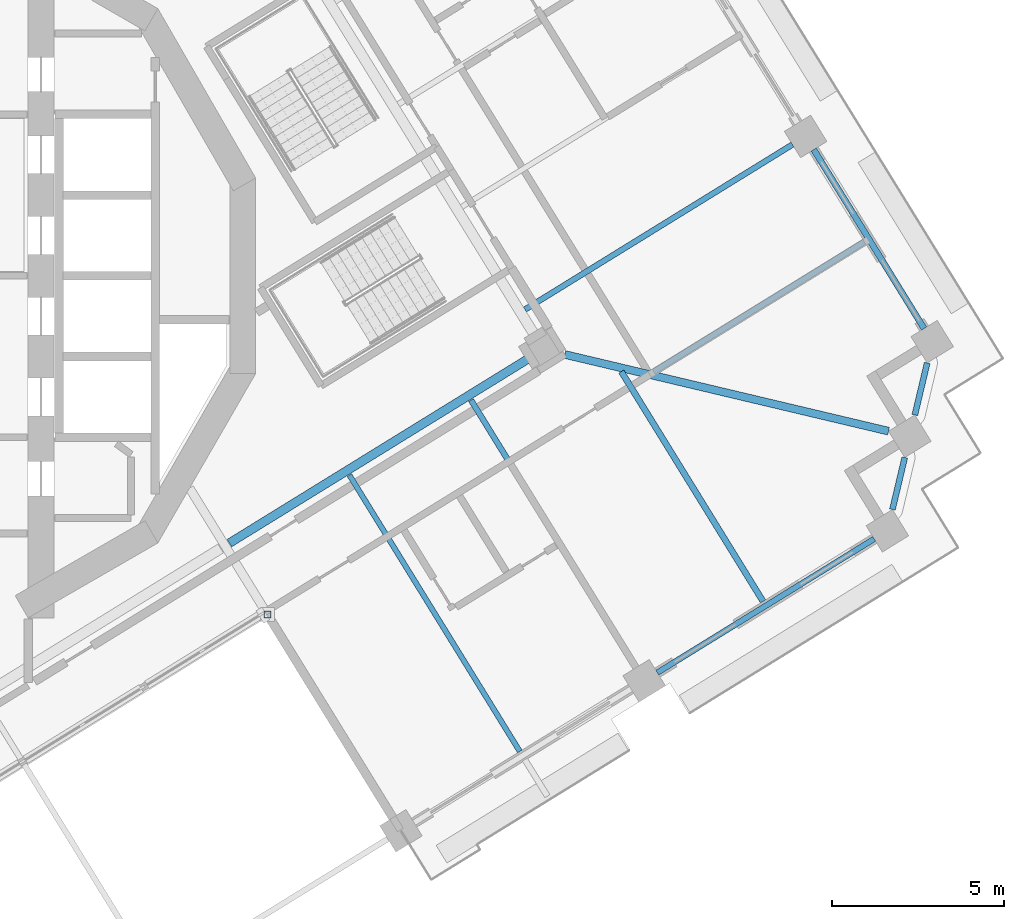
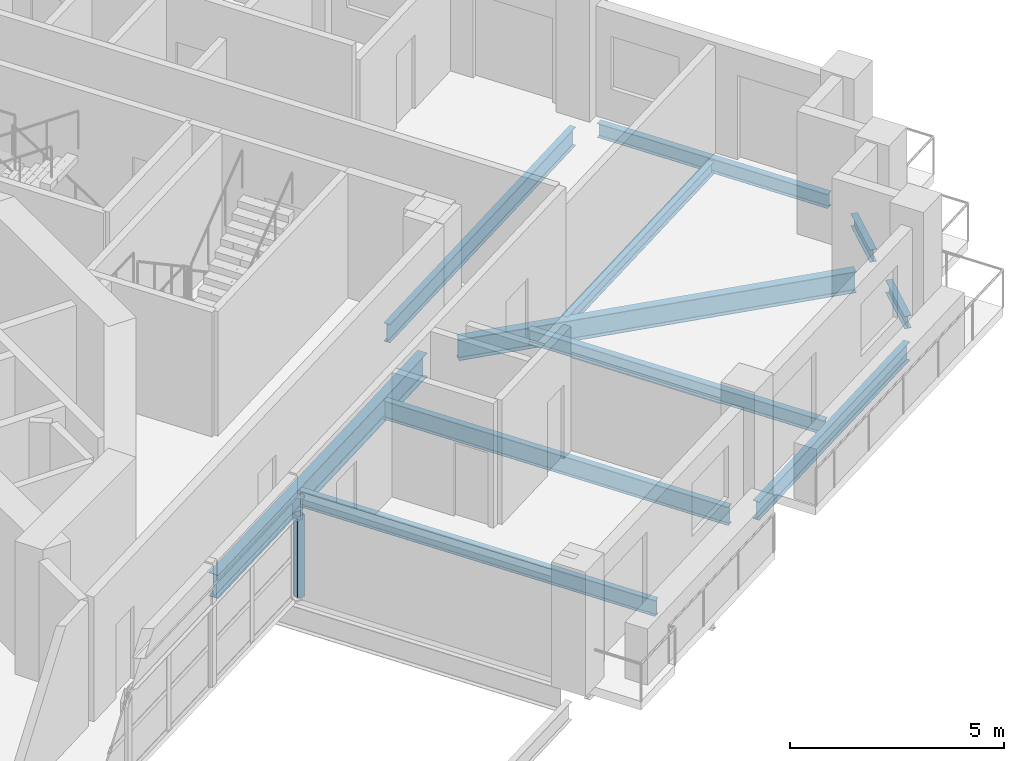
# One storey, part 5 of 22: 11 beams, 1 member.
"""IFC4 building model written with IfcOpenShell, lengths in metres."""

from ifc_helpers import new_model, si_unit, direction, frame, origin, origin_2d, place, context, subcontext, project, spatial, hollow_rectangle, i_section, extrude, material, material_profile, profile_set, type_object, element, save


model = new_model("IFC4")

# Units and contexts
model_context = context("Model", 3, precision=1e-05, world=origin(), true_north=direction((0.0, 1.0)))
body_context = subcontext(model_context, "Body", "Model", "MODEL_VIEW")
ifc_project = project(units=[si_unit("LENGTHUNIT", "METRE"), si_unit("AREAUNIT", "SQUARE_METRE"), si_unit("VOLUMEUNIT", "CUBIC_METRE"), si_unit("PLANEANGLEUNIT", "RADIAN"), si_unit("MASSUNIT", "GRAM", prefix="KILO")], contexts=[model_context])

# Site, building, storey
site_placement = place(None, origin())
site = spatial("IfcSite", under=ifc_project, at=site_placement, CompositionType="ELEMENT")
building_placement = place(site_placement, origin())
building = spatial("IfcBuilding", under=site, at=building_placement, Name="Cantera Rosa Tower", CompositionType="ELEMENT")
storey_placement = place(building_placement, frame((0.0, 0.0, 178.0)))
storey = spatial("IfcBuildingStorey", under=building, at=storey_placement, Name="L39", CompositionType="ELEMENT", Elevation=178.0)

# Member
ifc_material_1 = material(Name="Steel ASTM A992 (Fy 345 MPa)", Category="steel")
ifc_material_profile_1 = material_profile(ifc_material_1, hollow_rectangle(XDim=0.199951171875, YDim=0.199951171875, WallThickness=0.010009765625, at=origin_2d()), Name="LINTEL POST RHS 200x200x10")
ifc_profile_set_1 = profile_set([ifc_material_profile_1], Name="Steel ASTM A992 (Fy 345 MPa)")
member_type = type_object("IfcMemberType", Name="LINTEL POST RHS 200x200x10", PredefinedType="USERDEFINED", material=ifc_profile_set_1)
member_placement = place(storey_placement, frame((10.968994140625, -9.859375, 0.0), z_axis=(0.0, 0.0, 1.0), x_axis=(1.0, 0.0, 0.0)))
element("IfcMember", 1, at=member_placement, inside=storey, type_object=member_type, Name="LINTEL POST L39-2", ObjectType="LINTEL POST", PredefinedType="USERDEFINED", context=body_context, shape_type="SweptSolid", body=[
    extrude(hollow_rectangle(XDim=0.199951171875, YDim=0.199951171875, WallThickness=0.010009765625, at=origin_2d()), origin(), (0.0, 0.0, 1.0), 2.340087890625),
])

# Beams
ifc_material_2 = material(Name="Steel ASTM A992 (Fy 345 MPa)", Category="steel")
ifc_material_profile_2 = material_profile(ifc_material_2, i_section(OverallWidth=0.166015625, OverallDepth=0.528076171875, WebThickness=0.009765625, FlangeThickness=0.013671875, FilletRadius=0.0126953125, at=origin_2d()), Name="W530X74")
ifc_profile_set_2 = profile_set([ifc_material_profile_2], Name="Steel ASTM A992 (Fy 345 MPa)")
beam_type_1 = type_object("IfcBeamType", Name="STEEL BEAM W530X74", PredefinedType="BEAM", material=ifc_profile_set_2)
for number, where, z_axis, x_axis, name in (
    (2, (26.252685546875, 3.82080078125, -0.513916015625), (-0.851116426313, -0.524976979362, 0.0), (0.524976979362, -0.851116426313, 0.0), "G-Z3-01 L39"),
    (3, (21.698974609375, -11.40673828125, -0.513916015625), (-0.524976979362, 0.851116426313, 0.0), (-0.851116426313, -0.524976979362, 0.0), "G-Z3-12 L39"),
):
    element("IfcBeam", number, at=place(storey_placement, frame(where, z_axis=z_axis, x_axis=x_axis)), inside=storey, type_object=beam_type_1, Name=name, PredefinedType="BEAM", context=body_context, shape_type="SweptSolid", body=[
        extrude(i_section(OverallWidth=0.166015625, OverallDepth=0.528076171875, WebThickness=0.009765625, FlangeThickness=0.013671875, FilletRadius=0.0126953125, at=origin_2d()), origin(), (0.0, 0.0, 1.0), 9.14990234375),
    ])
ifc_material_3 = material(Name="Steel ASTM A992 (Fy 345 MPa)", Category="steel")
ifc_material_profile_3 = material_profile(ifc_material_3, i_section(OverallWidth=0.22802734375, OverallDepth=0.60205078125, WebThickness=0.010498046875, FlangeThickness=0.014892578125, FilletRadius=0.0126953125, at=origin_2d()), Name="W610X101")
ifc_profile_set_3 = profile_set([ifc_material_profile_3], Name="Steel ASTM A992 (Fy 345 MPa)")
beam_type_2 = type_object("IfcBeamType", Name="STEEL BEAM W610X101", PredefinedType="BEAM", material=ifc_profile_set_3)
beam_1_placement = place(storey_placement, frame((29.049560546875, -4.523193359375, -0.551025390625), z_axis=(-0.973043389436, 0.230622120091, 0.0), x_axis=(-0.230622120091, -0.973043389436, 0.0)))
element("IfcBeam", 4, at=beam_1_placement, inside=storey, type_object=beam_type_2, Name="CB-Z3-04 L39", PredefinedType="BEAM", context=body_context, shape_type="SweptSolid", body=[
    extrude(i_section(OverallWidth=0.22802734375, OverallDepth=0.60205078125, WebThickness=0.010498046875, FlangeThickness=0.014892578125, FilletRadius=0.0126953125, at=origin_2d()), origin(), (0.0, 0.0, 1.0), 9.6875),
])
ifc_material_4 = material(Name="Steel ASTM A992 (Fy 345 MPa)", Category="steel")
ifc_material_profile_4 = material_profile(ifc_material_4, i_section(OverallWidth=0.25390625, OverallDepth=0.677978515625, WebThickness=0.01171875, FlangeThickness=0.016357421875, FilletRadius=0.01513671875, at=origin_2d()), Name="W690X125")
ifc_profile_set_4 = profile_set([ifc_material_profile_4], Name="Steel ASTM A992 (Fy 345 MPa)")
beam_type_3 = type_object("IfcBeamType", Name="STEEL BEAM W690X125", PredefinedType="BEAM", material=ifc_profile_set_4)
beam_2_placement = place(storey_placement, frame((9.863037109375, -7.780517578125, -0.589111328125), z_axis=(0.851114508358, 0.524980088825, 0.0), x_axis=(-0.524980088825, 0.851114508358, 0.0)))
element("IfcBeam", 5, at=beam_2_placement, inside=storey, type_object=beam_type_3, Name="RB-Z3-04 L39", PredefinedType="BEAM", context=body_context, shape_type="SweptSolid", body=[
    extrude(i_section(OverallWidth=0.25390625, OverallDepth=0.677978515625, WebThickness=0.01171875, FlangeThickness=0.016357421875, FilletRadius=0.01513671875, at=origin_2d()), origin(), (0.0, 0.0, 1.0), 10.2900390625),
])
ifc_material_5 = material(Name="Steel ASTM A992 (Fy 345 MPa)", Category="steel")
ifc_material_profile_5 = material_profile(ifc_material_5, i_section(OverallWidth=0.1708984375, OverallDepth=0.35595703125, WebThickness=0.00732421875, FlangeThickness=0.01171875, FilletRadius=0.010009765625, at=origin_2d()), Name="W360X51")
ifc_profile_set_5 = profile_set([ifc_material_profile_5], Name="Steel ASTM A992 (Fy 345 MPa)")
beam_type_4 = type_object("IfcBeamType", Name="STEEL JOIST W360X51", PredefinedType="JOIST", material=ifc_profile_set_5)
beam_3_placement = place(storey_placement, frame((28.3505859375, 0.990966796875, -0.427978515625), z_axis=(-0.851109089911, -0.524988873283, 0.0), x_axis=(0.524988873283, -0.851109089911, 0.0)))
element("IfcBeam", 6, at=beam_3_placement, inside=storey, type_object=beam_type_4, Name="B-Z3-01 L39", PredefinedType="JOIST", context=body_context, shape_type="SweptSolid", body=[
    extrude(i_section(OverallWidth=0.1708984375, OverallDepth=0.35595703125, WebThickness=0.00732421875, FlangeThickness=0.01171875, FilletRadius=0.010009765625, at=origin_2d()), origin(), (0.0, 0.0, 1.0), 7.2099609375),
])
ifc_material_6 = material(Name="Steel ASTM A992 (Fy 345 MPa)", Category="steel")
ifc_material_profile_6 = material_profile(ifc_material_6, i_section(OverallWidth=0.177978515625, OverallDepth=0.406005859375, WebThickness=0.0078125, FlangeThickness=0.0126953125, FilletRadius=0.01025390625, at=origin_2d()), Name="W410X60")
ifc_profile_set_6 = profile_set([ifc_material_profile_6], Name="Steel ASTM A992 (Fy 345 MPa)")
beam_type_5 = type_object("IfcBeamType", Name="STEEL JOIST W410X60", PredefinedType="JOIST", material=ifc_profile_set_6)
beam_4_placement = place(storey_placement, frame((25.39697265625, -9.478271484375, -0.452880859375), z_axis=(-0.524972339906, 0.851119287958, 0.0), x_axis=(-0.851119287958, -0.524972339906, 0.0)))
element("IfcBeam", 7, at=beam_4_placement, inside=storey, type_object=beam_type_5, Name="B-Z3-15 L39", PredefinedType="JOIST", context=body_context, shape_type="SweptSolid", body=[
    extrude(i_section(OverallWidth=0.177978515625, OverallDepth=0.406005859375, WebThickness=0.0078125, FlangeThickness=0.0126953125, FilletRadius=0.01025390625, at=origin_2d()), origin(), (0.0, 0.0, 1.0), 7.85986328125),
])
ifc_material_7 = material(Name="Steel ASTM A992 (Fy 345 MPa)", Category="steel")
ifc_material_profile_7 = material_profile(ifc_material_7, i_section(OverallWidth=0.154052734375, OverallDepth=0.4599609375, WebThickness=0.009033203125, FlangeThickness=0.015380859375, FilletRadius=0.01025390625, at=origin_2d()), Name="W460X68")
ifc_profile_set_7 = profile_set([ifc_material_profile_7], Name="Steel ASTM A992 (Fy 345 MPa)")
beam_type_6 = type_object("IfcBeamType", Name="STEEL JOIST W460X68", PredefinedType="JOIST", material=ifc_profile_set_7)
beam_5_placement = place(storey_placement, frame((18.315673828125, -13.84619140625, -0.47998046875), z_axis=(-0.524962009542, 0.851125659663, 0.0), x_axis=(-0.851125659663, -0.524962009542, 0.0)))
element("IfcBeam", 8, at=beam_5_placement, inside=storey, type_object=beam_type_6, Name="B-Z3-14 L39", PredefinedType="JOIST", context=body_context, shape_type="SweptSolid", body=[
    extrude(i_section(OverallWidth=0.154052734375, OverallDepth=0.4599609375, WebThickness=0.009033203125, FlangeThickness=0.015380859375, FilletRadius=0.01025390625, at=origin_2d()), origin(), (0.0, 0.0, 1.0), 9.4501953125),
])
ifc_material_8 = material(Name="Steel ASTM A992 (Fy 345 MPa)", Category="steel")
ifc_material_profile_8 = material_profile(ifc_material_8, i_section(OverallWidth=0.1708984375, OverallDepth=0.35595703125, WebThickness=0.00732421875, FlangeThickness=0.01171875, FilletRadius=0.010009765625, at=origin_2d()), Name="W360X51")
ifc_profile_set_8 = profile_set([ifc_material_profile_8], Name="Steel ASTM A992 (Fy 345 MPa)")
beam_type_7 = type_object("IfcBeamType", Name="STEEL SPANDREL BEAM W360X51", PredefinedType="SPANDREL", material=ifc_profile_set_8)
for number, where, z_axis, x_axis, name in (
    (9, (29.163330078125, -6.802734375, -0.427978515625), (0.230552419793, 0.973059906546, 0.0), (-0.973059906546, 0.230552419793, 0.0), "EB-Z3-27 L39"),
    (10, (29.8154296875, -4.050537109375, -0.427978515625), (0.230701014544, 0.973024687194, 0.0), (-0.973024687194, 0.230701014544, 0.0), "EB-Z3-28 L39"),
):
    element("IfcBeam", number, at=place(storey_placement, frame(where, z_axis=z_axis, x_axis=x_axis)), inside=storey, type_object=beam_type_7, Name=name, PredefinedType="SPANDREL", context=body_context, shape_type="SweptSolid", body=[
        extrude(i_section(OverallWidth=0.1708984375, OverallDepth=0.35595703125, WebThickness=0.00732421875, FlangeThickness=0.01171875, FilletRadius=0.010009765625, at=origin_2d()), origin(), (0.0, 0.0, 1.0), 1.5556640625),
    ])
ifc_material_9 = material(Name="Steel ASTM A992 (Fy 345 MPa)", Category="steel")
ifc_material_profile_9 = material_profile(ifc_material_9, i_section(OverallWidth=0.177978515625, OverallDepth=0.406005859375, WebThickness=0.0078125, FlangeThickness=0.0126953125, FilletRadius=0.01025390625, at=origin_2d()), Name="W410X60")
ifc_profile_set_9 = profile_set([ifc_material_profile_9], Name="Steel ASTM A992 (Fy 345 MPa)")
beam_type_8 = type_object("IfcBeamType", Name="STEEL SPANDREL BEAM W410X60", PredefinedType="SPANDREL", material=ifc_profile_set_9)
beam_6_placement = place(storey_placement, frame((30.084716796875, -1.53466796875, -0.452880859375), z_axis=(-0.524987447654, 0.851109969279, 0.0), x_axis=(-0.851109969279, -0.524987447654, 0.0)))
element("IfcBeam", 11, at=beam_6_placement, inside=storey, type_object=beam_type_8, Name="EB-Z3-01 L39", PredefinedType="SPANDREL", context=body_context, shape_type="SweptSolid", body=[
    extrude(i_section(OverallWidth=0.177978515625, OverallDepth=0.406005859375, WebThickness=0.0078125, FlangeThickness=0.0126953125, FilletRadius=0.01025390625, at=origin_2d()), origin(), (0.0, 0.0, 1.0), 6.119873046875),
])
ifc_material_10 = material(Name="Steel ASTM A992 (Fy 345 MPa)", Category="steel")
ifc_material_profile_10 = material_profile(ifc_material_10, i_section(OverallWidth=0.166015625, OverallDepth=0.528076171875, WebThickness=0.009765625, FlangeThickness=0.013671875, FilletRadius=0.0126953125, at=origin_2d()), Name="W530X74")
ifc_profile_set_10 = profile_set([ifc_material_profile_10], Name="Steel ASTM A992 (Fy 345 MPa)")
beam_type_9 = type_object("IfcBeamType", Name="STEEL SPANDREL BEAM W530X74", PredefinedType="SPANDREL", material=ifc_profile_set_10)
beam_7_placement = place(storey_placement, frame((22.318115234375, -11.5537109375, -0.513916015625), z_axis=(0.851111085575, 0.524985637909, 0.0), x_axis=(-0.524985637909, 0.851111085575, 0.0)))
element("IfcBeam", 12, at=beam_7_placement, inside=storey, type_object=beam_type_9, Name="EB-Z3-26 L39", PredefinedType="SPANDREL", context=body_context, shape_type="SweptSolid", body=[
    extrude(i_section(OverallWidth=0.166015625, OverallDepth=0.528076171875, WebThickness=0.009765625, FlangeThickness=0.013671875, FilletRadius=0.0126953125, at=origin_2d()), origin(), (0.0, 0.0, 1.0), 7.420166015625),
])

save(model, "model.ifc")
